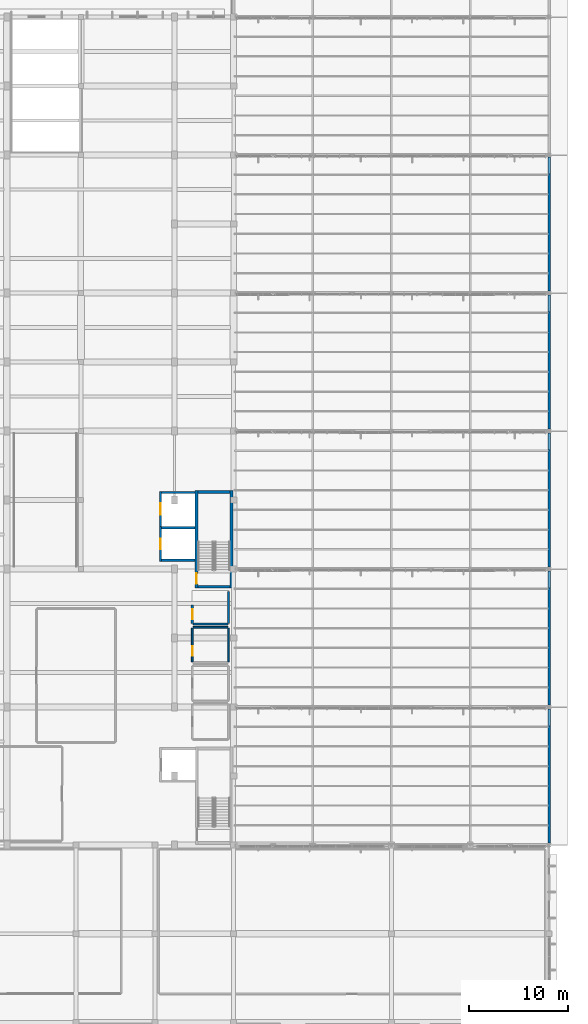
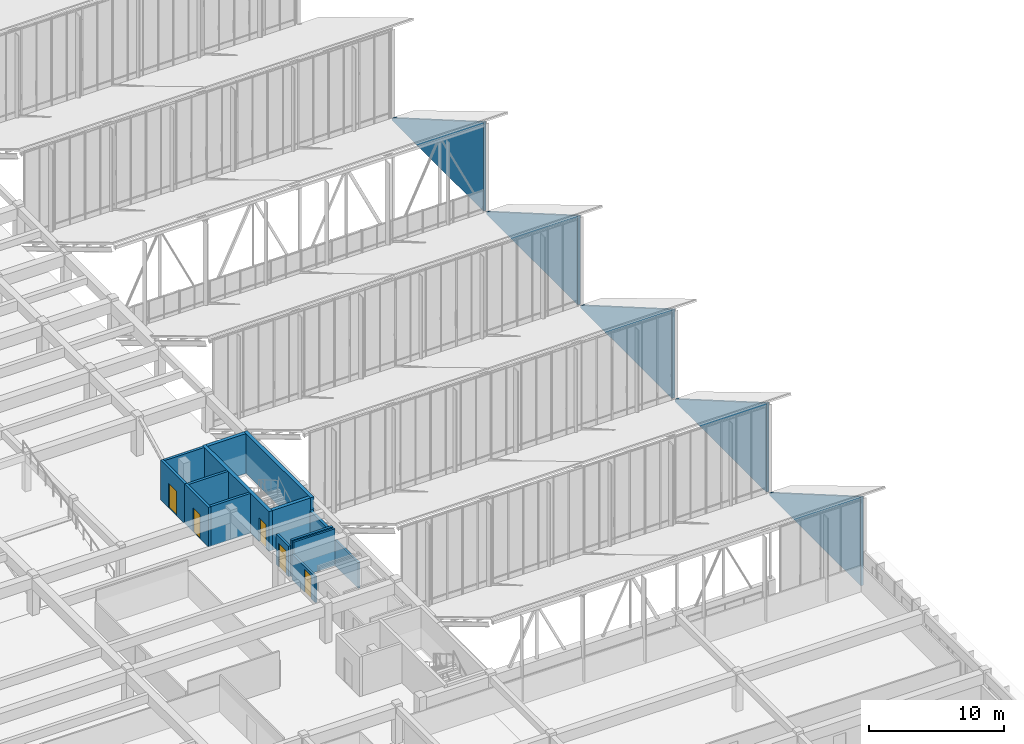
# One storey, part 124 of 155: 20 walls, 5 doors, 5 openings.
"""IFC4 building model written with IfcOpenShell, lengths in metres."""

from ifc_helpers import new_model, si_unit, direction, frame, frame_2d, origin, place, context, subcontext, project, spatial, polyline, rectangle, outline, extrude, material, layer, layer_set, type_object, element, fill, save


model = new_model("IFC4")

# Units and contexts
model_context = context("Model", 3, precision=1e-05, world=origin(), true_north=direction((0.0, 1.0)))
body_context = subcontext(model_context, "Body", "Model", "MODEL_VIEW")
ifc_project = project(units=[si_unit("LENGTHUNIT", "METRE"), si_unit("AREAUNIT", "SQUARE_METRE"), si_unit("VOLUMEUNIT", "CUBIC_METRE"), si_unit("PLANEANGLEUNIT", "RADIAN"), si_unit("MASSUNIT", "GRAM", prefix="KILO")], contexts=[model_context])

# Site, building, storey
site_placement = place(None, origin())
site = spatial("IfcSite", under=ifc_project, at=site_placement, CompositionType="ELEMENT")
building_placement = place(site_placement, origin())
building = spatial("IfcBuilding", under=site, at=building_placement, Name="Larkveld Mobility Hub", CompositionType="ELEMENT")
storey_placement = place(building_placement, frame((0.0, 0.0, 8.39990234375)))
storey = spatial("IfcBuildingStorey", under=building, at=storey_placement, Name="L02", CompositionType="ELEMENT", Elevation=8.39990234375)

# Walls
ifc_material_1 = material(Name="Precast concrete C50/60", Category="concrete")
ifc_layer_1 = layer(ifc_material_1, 0.239990234375, Name="Precast concrete C50/60", Category="concrete")
ifc_layer_set_1 = layer_set([ifc_layer_1], Name="Precast concrete C50/60")
wall_type_1 = type_object("IfcWallType", Name="WL-EXT-240", PredefinedType="SOLIDWALL", material=ifc_layer_set_1)
for number, where, z_axis, x_axis, name in (
    (1, (184.0, 28.219970703125, 0.0), (0.0, 0.0, 1.0), (0.0, 1.0, 0.0), "Sawtooth East Gable Cheek Wall B1"),
    (2, (184.0, 42.219970703125, 0.0), (0.0, 0.0, 1.0), (0.0, 1.0, 0.0), "Sawtooth East Gable Cheek Wall B2"),
    (3, (184.0, 56.219970703125, 0.0), (0.0, 0.0, 1.0), (0.0, 1.0, 0.0), "Sawtooth East Gable Cheek Wall B3"),
    (4, (184.0, 70.219970703125, 0.0), (0.0, 0.0, 1.0), (0.0, 1.0, 0.0), "Sawtooth East Gable Cheek Wall B4"),
    (5, (184.0, 84.219970703125, 0.0), (0.0, 0.0, 1.0), (0.0, 1.0, 0.0), "Sawtooth East Gable Cheek Wall B5"),
):
    element("IfcWall", number, at=place(storey_placement, frame(where, z_axis=z_axis, x_axis=x_axis)), inside=storey, type_object=wall_type_1, Name=name, PredefinedType="SOLIDWALL", context=body_context, shape_type="SweptSolid", body=[
        extrude(outline(polyline([(0.0, 0.0), (13.56005859375, 0.0), (13.56005859375, 0.22021484375), (0.0, 8.080078125), (0.0, 0.0)])), frame((0.0, 0.1201171875, 0.0), z_axis=(0.0, -1.0, 0.0), x_axis=(1.0, 0.0, 0.0)), (0.0, 0.0, 1.0), 0.239990234375),
    ])
ifc_material_2 = material(Name="Concrete blockwork masonry 14 MPa", Category="masonry")
ifc_layer_2 = layer(ifc_material_2, 0.1650390625, Name="Concrete blockwork masonry 14 MPa", Category="masonry")
ifc_layer_set_2 = layer_set([ifc_layer_2], Name="Concrete blockwork masonry 14 MPa")
wall_type_2 = type_object("IfcWallType", Name="WL-PRT-165", PredefinedType="PARTITIONING", material=ifc_layer_set_2)
wall_1_placement = place(storey_placement, frame((147.8798828125, 50.093994140625, 0.0), z_axis=(0.0, 0.0, 1.0), x_axis=(1.0, 0.0, 0.0)))
element("IfcWall", 6, at=wall_1_placement, inside=storey, type_object=wall_type_2, Name="Accessible Unisex Toilet Partition 0116", PredefinedType="PARTITIONING", context=body_context, shape_type="SweptSolid", body=[
    extrude(rectangle(XDim=3.5341796875, YDim=0.1650390625, at=frame_2d((1.76708984375, 0.0))), origin(), (0.0, 0.0, 1.0), 3.34521484375),
])

# Wall, opening, door
wall_2_placement = place(storey_placement, frame((147.800048828125, 46.580078125, 0.0), z_axis=(0.0, 0.0, 1.0), x_axis=(0.0, 1.0, 0.0)))
wall_2 = element("IfcWall", 7, at=wall_2_placement, inside=storey, type_object=wall_type_2, Name="Accessible Unisex Toilet Partition 0117", PredefinedType="PARTITIONING", context=body_context, shape_type="SweptSolid", body=[
    extrude(rectangle(XDim=3.433837890625, YDim=0.1650390625, at=frame_2d((1.716796875, 0.0))), origin(), (0.0, 0.0, 1.0), 2.34521484375),
])
opening_1_placement = place(wall_2_placement, frame((0.6298828125, 0.0, 0.0)))
opening_1 = element("IfcOpeningElement", 8, at=opening_1_placement, cuts=wall_2, Name="Opening DI02", PredefinedType="OPENING", context=body_context, shape_type="SweptSolid", body=[
    extrude(rectangle(XDim=0.949951171875, YDim=2.10009765625, at=frame_2d((0.47509765625, 1.050048828125))), frame((0.0, 0.092529296875, 0.0), z_axis=(0.0, -1.0, 0.0), x_axis=(1.0, 0.0, 0.0)), (0.0, 0.0, 1.0), 0.18505859375),
])
ifc_material_3 = material(Name="Solid-core hardwood timber door in aluminium frame", Category="wood")
door_type_1 = type_object("IfcDoorType", Name="DR-INT-095", OperationType="NOTDEFINED", PredefinedType="DOOR", material=ifc_material_3)
door_1_placement = place(opening_1_placement, origin())
door_1 = element("IfcDoor", 9, at=door_1_placement, inside=storey, type_object=door_type_1, Name="Accessible Unisex Toilet Door 0030", OperationType="SINGLE_SWING_LEFT", OverallHeight=2.10009765625, OverallWidth=0.949951171875, PredefinedType="DOOR", context=body_context, shape_type="SweptSolid", body=[
    extrude(rectangle(XDim=0.949951171875, YDim=2.10009765625, at=frame_2d((0.47509765625, 1.050048828125))), frame((0.0, 0.02490234375, 0.0), z_axis=(0.0, -1.0, 0.0), x_axis=(1.0, 0.0, 0.0)), (0.0, 0.0, 1.0), 0.050048828125),
])
fill(opening_1, door_1)

# Walls
wall_3_placement = place(storey_placement, frame((151.493896484375, 46.580078125, 0.0), z_axis=(0.0, 0.0, 1.0), x_axis=(0.0, 1.0, 0.0)))
element("IfcWall", 10, at=wall_3_placement, inside=storey, type_object=wall_type_2, Name="Accessible Unisex Toilet Partition 0118", PredefinedType="PARTITIONING", context=body_context, shape_type="SweptSolid", body=[
    extrude(rectangle(XDim=3.433837890625, YDim=0.1650390625, at=frame_2d((1.716796875, 0.0))), origin(), (0.0, 0.0, 1.0), 2.34521484375),
])
ifc_layer_3 = layer(ifc_material_2, 0.2099609375, Name="Concrete blockwork masonry 14 MPa", Category="masonry")
ifc_layer_set_3 = layer_set([ifc_layer_3], Name="Concrete blockwork masonry 14 MPa")
wall_type_3 = type_object("IfcWallType", Name="WL-PRT-210", PredefinedType="PARTITIONING", material=ifc_layer_set_3)
wall_4_placement = place(storey_placement, frame((147.8798828125, 50.39990234375, 0.0), z_axis=(0.0, 0.0, 1.0), x_axis=(1.0, 0.0, 0.0)))
element("IfcWall", 11, at=wall_4_placement, inside=storey, type_object=wall_type_3, Name="Cleaners Store Room Partition 0119", PredefinedType="PARTITIONING", context=body_context, shape_type="SweptSolid", body=[
    extrude(rectangle(XDim=3.5341796875, YDim=0.2099609375, at=frame_2d((1.76708984375, 0.0))), origin(), (0.0, 0.0, 1.0), 3.34521484375),
])

# Wall, opening, door
wall_5_placement = place(storey_placement, frame((147.800048828125, 50.47998046875, 0.0), z_axis=(0.0, 0.0, 1.0), x_axis=(0.0, 1.0, 0.0)))
wall_5 = element("IfcWall", 12, at=wall_5_placement, inside=storey, type_object=wall_type_3, Name="Cleaners Store Room Partition 0120", PredefinedType="PARTITIONING", context=body_context, shape_type="SweptSolid", body=[
    extrude(rectangle(XDim=1.864013671875, YDim=0.2099609375, at=frame_2d((0.93212890625, 0.0))), origin(), (0.0, 0.0, 1.0), 2.755126953125),
])
opening_2_placement = place(wall_5_placement, frame((0.406982421875, 0.0, 0.0)))
opening_2 = element("IfcOpeningElement", 13, at=opening_2_placement, cuts=wall_5, Name="Opening DF02", PredefinedType="OPENING", context=body_context, shape_type="SweptSolid", body=[
    extrude(rectangle(XDim=1.050048828125, YDim=2.14990234375, at=frame_2d((0.52490234375, 1.074951171875))), frame((0.0, 0.114990234375, 0.0), z_axis=(0.0, -1.0, 0.0), x_axis=(1.0, 0.0, 0.0)), (0.0, 0.0, 1.0), 0.22998046875),
])
ifc_material_4 = material(Name="Pressed Steel S355JR fire door assembly", Category="steel")
door_type_2 = type_object("IfcDoorType", Name="DR-FD60", OperationType="NOTDEFINED", PredefinedType="DOOR", material=ifc_material_4)
door_2_placement = place(opening_2_placement, origin())
door_2 = element("IfcDoor", 14, at=door_2_placement, inside=storey, type_object=door_type_2, Name="Cleaners Store Room Door 0031", OperationType="SINGLE_SWING_RIGHT", OverallHeight=2.14990234375, OverallWidth=1.050048828125, PredefinedType="DOOR", context=body_context, shape_type="SweptSolid", body=[
    extrude(rectangle(XDim=1.050048828125, YDim=2.14990234375, at=frame_2d((0.52490234375, 1.074951171875))), frame((0.0, 0.02490234375, 0.0), z_axis=(0.0, -1.0, 0.0), x_axis=(1.0, 0.0, 0.0)), (0.0, 0.0, 1.0), 0.050048828125),
])
fill(opening_2, door_2)

# Wall
wall_6_placement = place(storey_placement, frame((151.493896484375, 50.47998046875, 0.0), z_axis=(0.0, 0.0, 1.0), x_axis=(0.0, 1.0, 0.0)))
element("IfcWall", 15, at=wall_6_placement, inside=storey, type_object=wall_type_3, Name="Cleaners Store Room Partition 0121", PredefinedType="PARTITIONING", context=body_context, shape_type="SweptSolid", body=[
    extrude(rectangle(XDim=3.234130859375, YDim=0.2099609375, at=frame_2d((1.6171875, 0.0))), origin(), (0.0, 0.0, 1.0), 2.755126953125),
])

# Wall, opening, door
ifc_material_5 = material(Name="Concrete C40/50", Category="concrete")
ifc_layer_4 = layer(ifc_material_5, 0.219970703125, Name="Concrete C40/50", Category="concrete")
ifc_layer_set_4 = layer_set([ifc_layer_4], Name="Concrete C40/50")
wall_type_4 = type_object("IfcWallType", Name="WL-SHF-220", PredefinedType="SHEAR", material=ifc_layer_set_4)
wall_7_placement = place(storey_placement, frame((144.570068359375, 60.300048828125, 0.0), z_axis=(0.0, 0.0, 1.0), x_axis=(0.0, 1.0, 0.0)))
wall_7 = element("IfcWall", 16, at=wall_7_placement, inside=storey, type_object=wall_type_4, Name="Lift FL2 Shaft Wall L02-W", PredefinedType="SHEAR", context=body_context, shape_type="SweptSolid", body=[
    extrude(rectangle(XDim=3.570068359375, YDim=0.219970703125, at=frame_2d((1.78515625, 0.0))), origin(), (0.0, 0.0, 1.0), 3.60009765625),
])
opening_3_placement = place(wall_7_placement, frame((1.18505859375, 0.0, 0.0)))
opening_3 = element("IfcOpeningElement", 17, at=opening_3_placement, cuts=wall_7, Name="Opening LD02", PredefinedType="OPENING", context=body_context, shape_type="SweptSolid", body=[
    extrude(rectangle(XDim=1.199951171875, YDim=2.199951171875, at=frame_2d((0.60009765625, 1.10009765625))), frame((0.0, 0.1201171875, 0.0), z_axis=(0.0, -1.0, 0.0), x_axis=(1.0, 0.0, 0.0)), (0.0, 0.0, 1.0), 0.239990234375),
])
ifc_material_6 = material(Name="Brushed stainless Steel S355JR sliding landing door", Category="steel")
door_type_3 = type_object("IfcDoorType", Name="DR-LD-120", OperationType="DOUBLE_DOOR_SLIDING", PredefinedType="DOOR", material=ifc_material_6)
door_3_placement = place(opening_3_placement, origin())
door_3 = element("IfcDoor", 18, at=door_3_placement, inside=storey, type_object=door_type_3, Name="Lift landing door FL2-L02", OperationType="DOUBLE_DOOR_SLIDING", OverallHeight=2.199951171875, OverallWidth=1.199951171875, PredefinedType="DOOR", context=body_context, shape_type="SweptSolid", body=[
    extrude(rectangle(XDim=1.199951171875, YDim=2.199951171875, at=frame_2d((0.60009765625, 1.10009765625))), frame((0.0, 0.02490234375, 0.0), z_axis=(0.0, -1.0, 0.0), x_axis=(1.0, 0.0, 0.0)), (0.0, 0.0, 1.0), 0.050048828125),
])
fill(opening_3, door_3)

# Wall
wall_8_placement = place(storey_placement, frame((144.679931640625, 63.760009765625, 0.0), z_axis=(0.0, 0.0, 1.0), x_axis=(1.0, 0.0, 0.0)))
element("IfcWall", 19, at=wall_8_placement, inside=storey, type_object=wall_type_4, Name="Lift FL2 Shaft Wall L02-N", PredefinedType="SHEAR", context=body_context, shape_type="SweptSolid", body=[
    extrude(rectangle(XDim=3.400146484375, YDim=0.219970703125, at=frame_2d((1.7001953125, 0.0))), origin(), (0.0, 0.0, 1.0), 3.60009765625),
])

# Wall, opening, door
wall_9_placement = place(storey_placement, frame((144.570068359375, 56.780029296875, 0.0), z_axis=(0.0, 0.0, 1.0), x_axis=(0.0, 1.0, 0.0)))
wall_9 = element("IfcWall", 20, at=wall_9_placement, inside=storey, type_object=wall_type_4, Name="Lift PL1 Shaft Wall L02-W", PredefinedType="SHEAR", context=body_context, shape_type="SweptSolid", body=[
    extrude(rectangle(XDim=3.52001953125, YDim=0.219970703125, at=frame_2d((1.760009765625, 0.0))), origin(), (0.0, 0.0, 1.0), 3.60009765625),
])
opening_4_placement = place(wall_9_placement, frame((1.2099609375, 0.0, 0.0)))
opening_4 = element("IfcOpeningElement", 21, at=opening_4_placement, cuts=wall_9, Name="Opening LD01", PredefinedType="OPENING", context=body_context, shape_type="SweptSolid", body=[
    extrude(rectangle(XDim=1.10009765625, YDim=2.199951171875, at=frame_2d((0.550048828125, 1.10009765625))), frame((0.0, 0.1201171875, 0.0), z_axis=(0.0, -1.0, 0.0), x_axis=(1.0, 0.0, 0.0)), (0.0, 0.0, 1.0), 0.239990234375),
])
door_type_4 = type_object("IfcDoorType", Name="DR-LD-110", OperationType="DOUBLE_DOOR_SLIDING", PredefinedType="DOOR", material=ifc_material_6)
door_4_placement = place(opening_4_placement, origin())
door_4 = element("IfcDoor", 22, at=door_4_placement, inside=storey, type_object=door_type_4, Name="Lift landing door PL1-L02", OperationType="DOUBLE_DOOR_SLIDING", OverallHeight=2.199951171875, OverallWidth=1.10009765625, PredefinedType="DOOR", context=body_context, shape_type="SweptSolid", body=[
    extrude(rectangle(XDim=1.10009765625, YDim=2.199951171875, at=frame_2d((0.550048828125, 1.10009765625))), frame((0.0, 0.02490234375, 0.0), z_axis=(0.0, -1.0, 0.0), x_axis=(1.0, 0.0, 0.0)), (0.0, 0.0, 1.0), 0.050048828125),
])
fill(opening_4, door_4)

# Walls
for number, where, z_axis, x_axis, name in (
    (23, (148.080078125, 56.889892578125, 0.0), (0.0, 0.0, 1.0), (-1.0, 0.0, 0.0), "Lift PL1 Shaft Wall L02-S"),
    (24, (144.679931640625, 60.18994140625, 0.0), (0.0, 0.0, 1.0), (1.0, 0.0, 0.0), "Lift PL1 Shaft Wall L02-N"),
):
    element("IfcWall", number, at=place(storey_placement, frame(where, z_axis=z_axis, x_axis=x_axis)), inside=storey, type_object=wall_type_4, Name=name, PredefinedType="SHEAR", context=body_context, shape_type="SweptSolid", body=[
        extrude(rectangle(XDim=3.400146484375, YDim=0.219970703125, at=frame_2d((1.7001953125, 0.0))), origin(), (0.0, 0.0, 1.0), 3.60009765625),
    ])

# Wall, opening, door
ifc_layer_5 = layer(ifc_material_5, 0.300048828125, Name="Concrete C40/50", Category="concrete")
ifc_layer_set_5 = layer_set([ifc_layer_5], Name="Concrete C40/50")
wall_type_5 = type_object("IfcWallType", Name="WL-SHR-02", PredefinedType="SHEAR", material=ifc_layer_set_5)
wall_10_placement = place(storey_placement, frame((148.22998046875, 54.050048828125, 0.0), z_axis=(0.0, 0.0, 1.0), x_axis=(0.0, 1.0, 0.0)))
wall_10 = element("IfcWall", 25, at=wall_10_placement, inside=storey, type_object=wall_type_5, Name="Core C2 Stair Shear Wall L02-W", PredefinedType="SHEAR", context=body_context, shape_type="SweptSolid", body=[
    extrude(rectangle(XDim=9.89990234375, YDim=0.300048828125, at=frame_2d((4.949951171875, 0.0))), origin(), (0.0, 0.0, 1.0), 3.60009765625),
])
opening_5_placement = place(wall_10_placement, frame((0.449951171875, 0.0, 0.0)))
opening_5 = element("IfcOpeningElement", 26, at=opening_5_placement, cuts=wall_10, Name="Opening DF02", PredefinedType="OPENING", context=body_context, shape_type="SweptSolid", body=[
    extrude(rectangle(XDim=1.050048828125, YDim=2.14990234375, at=frame_2d((0.52490234375, 1.074951171875))), frame((0.0, 0.16015625, 0.0), z_axis=(0.0, -1.0, 0.0), x_axis=(1.0, 0.0, 0.0)), (0.0, 0.0, 1.0), 0.320068359375),
])
door_5_placement = place(opening_5_placement, origin())
door_5 = element("IfcDoor", 27, at=door_5_placement, inside=storey, type_object=door_type_2, Name="Stair ST2 Fire Door L02", OperationType="SINGLE_SWING_LEFT", OverallHeight=2.14990234375, OverallWidth=1.050048828125, PredefinedType="DOOR", context=body_context, shape_type="SweptSolid", body=[
    extrude(rectangle(XDim=1.050048828125, YDim=2.14990234375, at=frame_2d((0.52490234375, 1.074951171875))), frame((0.0, 0.02490234375, 0.0), z_axis=(0.0, -1.0, 0.0), x_axis=(1.0, 0.0, 0.0)), (0.0, 0.0, 1.0), 0.050048828125),
])
fill(opening_5, door_5)

# Walls
wall_11_placement = place(storey_placement, frame((151.800048828125, 63.949951171875, 0.0), z_axis=(0.0, 0.0, 1.0), x_axis=(0.0, -1.0, 0.0)))
element("IfcWall", 28, at=wall_11_placement, inside=storey, type_object=wall_type_5, Name="Core C2 Stair Shear Wall L02-E", PredefinedType="SHEAR", context=body_context, shape_type="SweptSolid", body=[
    extrude(rectangle(XDim=9.89990234375, YDim=0.300048828125, at=frame_2d((4.949951171875, 0.0))), origin(), (0.0, 0.0, 1.0), 3.60009765625),
])
for number, where, z_axis, x_axis, name in (
    (29, (151.64990234375, 54.199951171875, 0.0), (0.0, 0.0, 1.0), (-1.0, 0.0, 0.0), "Core C2 Stair Shear Wall L02-S"),
    (30, (148.3798828125, 63.800048828125, 0.0), (0.0, 0.0, 1.0), (1.0, 0.0, 0.0), "Core C2 Stair Shear Wall L02-N"),
):
    element("IfcWall", number, at=place(storey_placement, frame(where, z_axis=z_axis, x_axis=x_axis)), inside=storey, type_object=wall_type_5, Name=name, PredefinedType="SHEAR", context=body_context, shape_type="SweptSolid", body=[
        extrude(rectangle(XDim=3.27001953125, YDim=0.300048828125, at=frame_2d((1.635009765625, 0.0))), origin(), (0.0, 0.0, 1.0), 3.60009765625),
    ])

save(model, "model.ifc")
